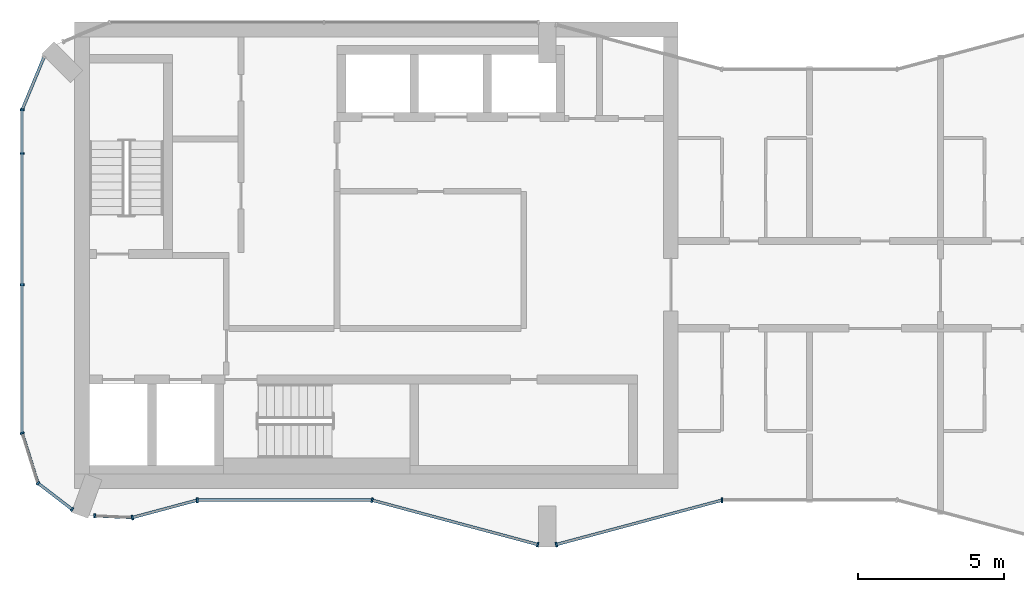
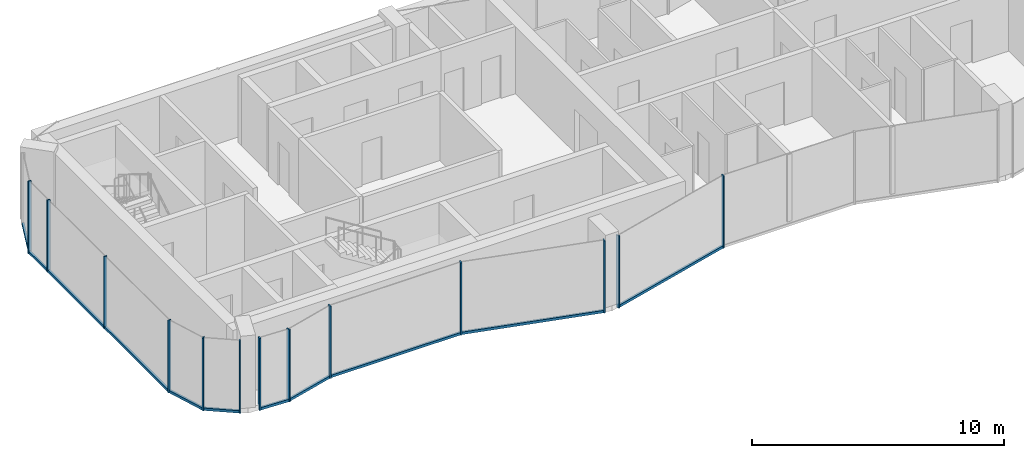
# One storey, part 2 of 10: 22 members, 10 elements without a shape of their own.
"""IFC4 building model written with IfcOpenShell, lengths in metres."""

from ifc_helpers import new_model, si_unit, direction, frame, origin, origin_2d, place, context, subcontext, project, spatial, rectangle, extrude, material, layer, layer_set, material_profile, profile_set, type_object, element, aggregate, save


model = new_model("IFC4")

# Units and contexts
model_context = context("Model", 3, precision=1e-05, world=origin(), true_north=direction((0.0, 1.0)))
body_context = subcontext(model_context, "Body", "Model", "MODEL_VIEW")
ifc_project = project(units=[si_unit("LENGTHUNIT", "METRE"), si_unit("AREAUNIT", "SQUARE_METRE"), si_unit("VOLUMEUNIT", "CUBIC_METRE"), si_unit("PLANEANGLEUNIT", "RADIAN"), si_unit("MASSUNIT", "GRAM", prefix="KILO")], contexts=[model_context])

# Site, building, storey
site_placement = place(None, origin())
site = spatial("IfcSite", under=ifc_project, at=site_placement, CompositionType="ELEMENT")
building_placement = place(site_placement, origin())
building = spatial("IfcBuilding", under=site, at=building_placement, Name="Plateau Cross Towers", CompositionType="ELEMENT")
storey_placement = place(building_placement, frame((0.0, 0.0, 252.89990234375)))
storey = spatial("IfcBuildingStorey", under=building, at=storey_placement, Name="L66", CompositionType="ELEMENT", Elevation=252.89990234375)

# Curtain wall, members
ifc_material_1 = material(Name="Dark low-iron glass", Category="glass")
ifc_layer_1 = layer(ifc_material_1, 0.239990234375)
ifc_layer_set_1 = layer_set([ifc_layer_1], Name="Dark low-iron glass")
curtain_wall_type_1 = type_object("IfcCurtainWallType", Name="Curtain wall flush unitised CW-B", PredefinedType="NOTDEFINED", material=ifc_layer_set_1)
curtain_wall_1_placement = place(storey_placement, origin())
curtain_wall_1 = element("IfcCurtainWall", 1, at=curtain_wall_1_placement, inside=storey, type_object=curtain_wall_type_1, Name="ENV/A/L66/A0_150", PredefinedType="NOTDEFINED")
ifc_material_2 = material(Name="Black anodised aluminium", Category="aluminium")
ifc_material_profile_1 = material_profile(ifc_material_2, rectangle(XDim=0.06005859375, YDim=0.139892578125, at=origin_2d()), Name="MULLION 60x140")
ifc_profile_set_1 = profile_set([ifc_material_profile_1], Name="Black anodised aluminium")
member_type_1 = type_object("IfcMemberType", Name="Mullion 60x140 flush unitised", PredefinedType="MULLION", material=ifc_profile_set_1)
member_1_placement = place(storey_placement, frame((0.0, 15.0, -0.25), z_axis=(0.0, 0.0, 1.0), x_axis=(0.0, -1.0, 0.0)))
member_1 = element("IfcMember", 2, at=member_1_placement, type_object=member_type_1, Name="CW-B mullion 1", PredefinedType="MULLION", context=body_context, shape_type="SweptSolid", body=[
    extrude(rectangle(XDim=0.06005859375, YDim=0.139892578125, at=origin_2d()), origin(), (0.0, 0.0, 1.0), 3.5),
])
member_2_placement = place(storey_placement, frame((0.0, 13.5, -0.25), z_axis=(0.0, 0.0, 1.0), x_axis=(0.0, -1.0, 0.0)))
member_2 = element("IfcMember", 3, at=member_2_placement, type_object=member_type_1, Name="CW-B mullion 2", PredefinedType="MULLION", context=body_context, shape_type="SweptSolid", body=[
    extrude(rectangle(XDim=0.06005859375, YDim=0.139892578125, at=origin_2d()), origin(), (0.0, 0.0, 1.0), 3.5),
])
member_3_placement = place(storey_placement, frame((0.0, 9.0, -0.25), z_axis=(0.0, 0.0, 1.0), x_axis=(0.0, -1.0, 0.0)))
member_3 = element("IfcMember", 4, at=member_3_placement, type_object=member_type_1, Name="CW-B mullion 3", PredefinedType="MULLION", context=body_context, shape_type="SweptSolid", body=[
    extrude(rectangle(XDim=0.06005859375, YDim=0.139892578125, at=origin_2d()), origin(), (0.0, 0.0, 1.0), 3.5),
])

# Curtain wall, member
curtain_wall_2_placement = place(storey_placement, origin())
curtain_wall_2 = element("IfcCurtainWall", 5, at=curtain_wall_2_placement, inside=storey, type_object=curtain_wall_type_1, Name="ENV/A/L66/A0_39", PredefinedType="NOTDEFINED")
member_4_placement = place(storey_placement, frame((0.0, 3.9091796875, -0.25), z_axis=(0.0, 0.0, 1.0), x_axis=(0.300686174994, -0.95372313811, 0.0)))
member_4 = element("IfcMember", 6, at=member_4_placement, type_object=member_type_1, Name="CW-B mullion 1", PredefinedType="MULLION", context=body_context, shape_type="SweptSolid", body=[
    extrude(rectangle(XDim=0.06005859375, YDim=0.139892578125, at=origin_2d()), origin(), (0.0, 0.0, 1.0), 3.5),
])

# Curtain wall, members
curtain_wall_3_placement = place(storey_placement, origin())
curtain_wall_3 = element("IfcCurtainWall", 7, at=curtain_wall_3_placement, inside=storey, type_object=curtain_wall_type_1, Name="ENV/A/L66/A5_22", PredefinedType="NOTDEFINED")
member_5_placement = place(storey_placement, frame((0.54248046875, 2.1884765625, -0.25), z_axis=(0.0, 0.0, 1.0), x_axis=(0.793315514529, -0.608810721331, 0.0)))
member_5 = element("IfcMember", 8, at=member_5_placement, type_object=member_type_1, Name="CW-B mullion 1", PredefinedType="MULLION", context=body_context, shape_type="SweptSolid", body=[
    extrude(rectangle(XDim=0.06005859375, YDim=0.139892578125, at=origin_2d()), origin(), (0.0, 0.0, 1.0), 3.5),
])
member_6_placement = place(storey_placement, frame((1.709716796875, 1.292724609375, -0.25), z_axis=(0.0, 0.0, 1.0), x_axis=(0.793315514529, -0.608810721331, 0.0)))
member_6 = element("IfcMember", 9, at=member_6_placement, type_object=member_type_1, Name="CW-B mullion 2", PredefinedType="MULLION", context=body_context, shape_type="SweptSolid", body=[
    extrude(rectangle(XDim=0.06005859375, YDim=0.139892578125, at=origin_2d()), origin(), (0.0, 0.0, 1.0), 3.5),
])

# Curtain wall, member
curtain_wall_4_placement = place(storey_placement, origin())
curtain_wall_4 = element("IfcCurtainWall", 10, at=curtain_wall_4_placement, inside=storey, type_object=curtain_wall_type_1, Name="ENV/A/L66/A25_11", PredefinedType="NOTDEFINED")
member_7_placement = place(storey_placement, frame((2.483642578125, 1.06787109375, -0.25), z_axis=(0.0, 0.0, 1.0), x_axis=(0.999043701491, -0.043722791671, 0.0)))
member_7 = element("IfcMember", 11, at=member_7_placement, type_object=member_type_1, Name="CW-B mullion 1", PredefinedType="MULLION", context=body_context, shape_type="SweptSolid", body=[
    extrude(rectangle(XDim=0.06005859375, YDim=0.139892578125, at=origin_2d()), origin(), (0.0, 0.0, 1.0), 3.5),
])

ifc_layer_2 = layer(ifc_material_1, 0.260009765625)
ifc_layer_set_2 = layer_set([ifc_layer_2], Name="Dark low-iron glass")
curtain_wall_type_2 = type_object("IfcCurtainWallType", Name="Curtain wall fluted unitised CW-A", PredefinedType="NOTDEFINED", material=ifc_layer_set_2)
curtain_wall_5_placement = place(storey_placement, origin())
curtain_wall_5 = element("IfcCurtainWall", 12, at=curtain_wall_5_placement, inside=storey, type_object=curtain_wall_type_2, Name="ENV/A/L66/A38_10", PredefinedType="NOTDEFINED")
ifc_material_profile_2 = material_profile(ifc_material_2, rectangle(XDim=0.06005859375, YDim=0.159912109375, at=origin_2d()), Name="MULLION 60x160")
ifc_profile_set_2 = profile_set([ifc_material_profile_2], Name="Black anodised aluminium")
member_type_2 = type_object("IfcMemberType", Name="Mullion 60x160 fluted unitised", PredefinedType="MULLION", material=ifc_profile_set_2)
member_8_placement = place(storey_placement, frame((3.776123046875, 1.01123046875, -0.25), z_axis=(0.0, 0.0, 1.0), x_axis=(0.965957962328, 0.258699081978, 0.0)))
member_8 = element("IfcMember", 13, at=member_8_placement, type_object=member_type_2, Name="CW-A mullion 1", PredefinedType="MULLION", context=body_context, shape_type="SweptSolid", body=[
    extrude(rectangle(XDim=0.06005859375, YDim=0.159912109375, at=origin_2d()), origin(), (0.0, 0.0, 1.0), 3.5),
])

curtain_wall_6_placement = place(storey_placement, origin())
curtain_wall_6 = element("IfcCurtainWall", 14, at=curtain_wall_6_placement, inside=storey, type_object=curtain_wall_type_2, Name="ENV/A/L66/A60_16", PredefinedType="NOTDEFINED")
member_9_placement = place(storey_placement, frame((6.0, 1.60693359375, -0.25), z_axis=(0.0, 0.0, 1.0), x_axis=(1.0, 0.0, 0.0)))
member_9 = element("IfcMember", 15, at=member_9_placement, type_object=member_type_2, Name="CW-A mullion 1", PredefinedType="MULLION", context=body_context, shape_type="SweptSolid", body=[
    extrude(rectangle(XDim=0.06005859375, YDim=0.159912109375, at=origin_2d()), origin(), (0.0, 0.0, 1.0), 3.5),
])

# Curtain wall, members
curtain_wall_7_placement = place(storey_placement, origin())
curtain_wall_7 = element("IfcCurtainWall", 16, at=curtain_wall_7_placement, inside=storey, type_object=curtain_wall_type_2, Name="ENV/A/L66/A120_16", PredefinedType="NOTDEFINED")
member_10_placement = place(storey_placement, frame((12.0, 1.60693359375, -0.25), z_axis=(0.0, 0.0, 1.0), x_axis=(0.965957983404, -0.258699003279, 0.0)))
member_10 = element("IfcMember", 17, at=member_10_placement, type_object=member_type_2, Name="CW-A mullion 1", PredefinedType="MULLION", context=body_context, shape_type="SweptSolid", body=[
    extrude(rectangle(XDim=0.06005859375, YDim=0.159912109375, at=origin_2d()), origin(), (0.0, 0.0, 1.0), 3.5),
])
member_11_placement = place(storey_placement, frame((17.68212890625, 0.085205078125, -0.25), z_axis=(0.0, 0.0, 1.0), x_axis=(0.965957983404, -0.258699003279, 0.0)))
member_11 = element("IfcMember", 18, at=member_11_placement, type_object=member_type_2, Name="CW-A mullion 2", PredefinedType="MULLION", context=body_context, shape_type="SweptSolid", body=[
    extrude(rectangle(XDim=0.06005859375, YDim=0.159912109375, at=origin_2d()), origin(), (0.0, 0.0, 1.0), 3.5),
])

# Curtain wall, member
curtain_wall_8_placement = place(storey_placement, origin())
curtain_wall_8 = element("IfcCurtainWall", 19, at=curtain_wall_8_placement, inside=storey, type_object=curtain_wall_type_2, Name="ENV/A/L66/A183_1", PredefinedType="NOTDEFINED")
member_12_placement = place(storey_placement, frame((18.31787109375, 0.085205078125, -0.25), z_axis=(0.0, 0.0, 1.0), x_axis=(0.965957983404, 0.258699003279, 0.0)))
member_12 = element("IfcMember", 20, at=member_12_placement, type_object=member_type_2, Name="CW-A mullion 1", PredefinedType="MULLION", context=body_context, shape_type="SweptSolid", body=[
    extrude(rectangle(XDim=0.06005859375, YDim=0.159912109375, at=origin_2d()), origin(), (0.0, 0.0, 1.0), 3.5),
])

curtain_wall_9_placement = place(storey_placement, origin())
curtain_wall_9 = element("IfcCurtainWall", 21, at=curtain_wall_9_placement, inside=storey, type_object=curtain_wall_type_2, Name="ENV/A/L66/A240_16", PredefinedType="NOTDEFINED")
member_13_placement = place(storey_placement, frame((24.0, 1.60693359375, -0.25), z_axis=(0.0, 0.0, 1.0), x_axis=(1.0, 0.0, 0.0)))
member_13 = element("IfcMember", 22, at=member_13_placement, type_object=member_type_2, Name="CW-A mullion 1", PredefinedType="MULLION", context=body_context, shape_type="SweptSolid", body=[
    extrude(rectangle(XDim=0.06005859375, YDim=0.159912109375, at=origin_2d()), origin(), (0.0, 0.0, 1.0), 3.5),
])
aggregate(curtain_wall_9, [member_13])

curtain_wall_10_placement = place(storey_placement, origin())
curtain_wall_10 = element("IfcCurtainWall", 23, at=curtain_wall_10_placement, inside=storey, type_object=curtain_wall_type_1, Name="ENV/A/L66/A7_168", PredefinedType="NOTDEFINED")
ifc_material_profile_3 = material_profile(ifc_material_2, rectangle(XDim=0.10009765625, YDim=0.1201171875, at=origin_2d()), Name="TRANSOM 100x120")
ifc_profile_set_3 = profile_set([ifc_material_profile_3], Name="Black anodised aluminium")
member_type_3 = type_object("IfcMemberType", Name="Transom 100x120 flush unitised", PredefinedType="USERDEFINED", material=ifc_profile_set_3)
member_14_placement = place(storey_placement, frame((0.748046875, 16.805908203125, -0.18994140625), z_axis=(-0.382690071798, -0.92387678234, 0.0), x_axis=(0.92387678234, -0.382690071798, 0.0)))
member_14 = element("IfcMember", 24, at=member_14_placement, type_object=member_type_3, Name="CW-B transom", ObjectType="TRANSOM", PredefinedType="USERDEFINED", context=body_context, shape_type="SweptSolid", body=[
    extrude(rectangle(XDim=0.10009765625, YDim=0.1201171875, at=origin_2d()), origin(), (0.0, 0.0, 1.0), 1.95458984375),
])
aggregate(curtain_wall_10, [member_14])

# Member
member_15_placement = place(storey_placement, frame((0.0, 15.0, -0.18994140625), z_axis=(0.0, -1.0, 0.0), x_axis=(1.0, 0.0, 0.0)))
member_15 = element("IfcMember", 25, at=member_15_placement, type_object=member_type_3, Name="CW-B transom", ObjectType="TRANSOM", PredefinedType="USERDEFINED", context=body_context, shape_type="SweptSolid", body=[
    extrude(rectangle(XDim=0.10009765625, YDim=0.1201171875, at=origin_2d()), origin(), (0.0, 0.0, 1.0), 11.0908203125),
])

aggregate(curtain_wall_1, [member_1, member_2, member_3, member_15])

member_16_placement = place(storey_placement, frame((0.0, 3.9091796875, -0.18994140625), z_axis=(0.30067799945, -0.953725715626, 0.0), x_axis=(0.953725715626, 0.30067799945, 0.0)))
member_16 = element("IfcMember", 26, at=member_16_placement, type_object=member_type_3, Name="CW-B transom", ObjectType="TRANSOM", PredefinedType="USERDEFINED", context=body_context, shape_type="SweptSolid", body=[
    extrude(rectangle(XDim=0.10009765625, YDim=0.1201171875, at=origin_2d()), origin(), (0.0, 0.0, 1.0), 1.80419921875),
])

aggregate(curtain_wall_2, [member_4, member_16])

member_17_placement = place(storey_placement, frame((0.54248046875, 2.1884765625, -0.18994140625), z_axis=(0.793320508571, -0.608804213751, 0.0), x_axis=(0.608804213751, 0.793320508571, 0.0)))
member_17 = element("IfcMember", 27, at=member_17_placement, type_object=member_type_3, Name="CW-B transom", ObjectType="TRANSOM", PredefinedType="USERDEFINED", context=body_context, shape_type="SweptSolid", body=[
    extrude(rectangle(XDim=0.10009765625, YDim=0.1201171875, at=origin_2d()), origin(), (0.0, 0.0, 1.0), 1.471435546875),
])

aggregate(curtain_wall_3, [member_5, member_6, member_17])

member_18_placement = place(storey_placement, frame((2.483642578125, 1.06787109375, -0.18994140625), z_axis=(0.999041144614, -0.043781175963, 0.0), x_axis=(0.043781175963, 0.999041144614, 0.0)))
member_18 = element("IfcMember", 28, at=member_18_placement, type_object=member_type_3, Name="CW-B transom", ObjectType="TRANSOM", PredefinedType="USERDEFINED", context=body_context, shape_type="SweptSolid", body=[
    extrude(rectangle(XDim=0.10009765625, YDim=0.1201171875, at=origin_2d()), origin(), (0.0, 0.0, 1.0), 1.293701171875),
])

aggregate(curtain_wall_4, [member_7, member_18])

ifc_material_profile_4 = material_profile(ifc_material_2, rectangle(XDim=0.10009765625, YDim=0.1201171875, at=origin_2d()), Name="TRANSOM 100x120")
ifc_profile_set_4 = profile_set([ifc_material_profile_4], Name="Black anodised aluminium")
member_type_4 = type_object("IfcMemberType", Name="Transom 100x120 fluted unitised", PredefinedType="USERDEFINED", material=ifc_profile_set_4)
member_19_placement = place(storey_placement, frame((3.776123046875, 1.01123046875, -0.18994140625), z_axis=(0.965945685136, 0.258744919501, 0.0), x_axis=(-0.258744919501, 0.965945685136, 0.0)))
member_19 = element("IfcMember", 29, at=member_19_placement, type_object=member_type_4, Name="CW-A transom", ObjectType="TRANSOM", PredefinedType="USERDEFINED", context=body_context, shape_type="SweptSolid", body=[
    extrude(rectangle(XDim=0.10009765625, YDim=0.1201171875, at=origin_2d()), origin(), (0.0, 0.0, 1.0), 2.30224609375),
])

aggregate(curtain_wall_5, [member_8, member_19])

member_20_placement = place(storey_placement, frame((6.0, 1.60693359375, -0.18994140625), z_axis=(1.0, 0.0, 0.0), x_axis=(0.0, 1.0, 0.0)))
member_20 = element("IfcMember", 30, at=member_20_placement, type_object=member_type_4, Name="CW-A transom", ObjectType="TRANSOM", PredefinedType="USERDEFINED", context=body_context, shape_type="SweptSolid", body=[
    extrude(rectangle(XDim=0.10009765625, YDim=0.1201171875, at=origin_2d()), origin(), (0.0, 0.0, 1.0), 6.0),
])

aggregate(curtain_wall_6, [member_9, member_20])

member_21_placement = place(storey_placement, frame((12.0, 1.60693359375, -0.18994140625), z_axis=(0.965959534794, -0.258693210465, 0.0), x_axis=(0.258693210465, 0.965959534794, 0.0)))
member_21 = element("IfcMember", 31, at=member_21_placement, type_object=member_type_4, Name="CW-A transom", ObjectType="TRANSOM", PredefinedType="USERDEFINED", context=body_context, shape_type="SweptSolid", body=[
    extrude(rectangle(XDim=0.10009765625, YDim=0.1201171875, at=origin_2d()), origin(), (0.0, 0.0, 1.0), 5.88232421875),
])

aggregate(curtain_wall_7, [member_10, member_11, member_21])

member_22_placement = place(storey_placement, frame((18.31787109375, 0.085205078125, -0.18994140625), z_axis=(0.965959534794, 0.258693210465, 0.0), x_axis=(-0.258693210465, 0.965959534794, 0.0)))
member_22 = element("IfcMember", 32, at=member_22_placement, type_object=member_type_4, Name="CW-A transom", ObjectType="TRANSOM", PredefinedType="USERDEFINED", context=body_context, shape_type="SweptSolid", body=[
    extrude(rectangle(XDim=0.10009765625, YDim=0.1201171875, at=origin_2d()), origin(), (0.0, 0.0, 1.0), 5.88232421875),
])

aggregate(curtain_wall_8, [member_12, member_22])

save(model, "model.ifc")
